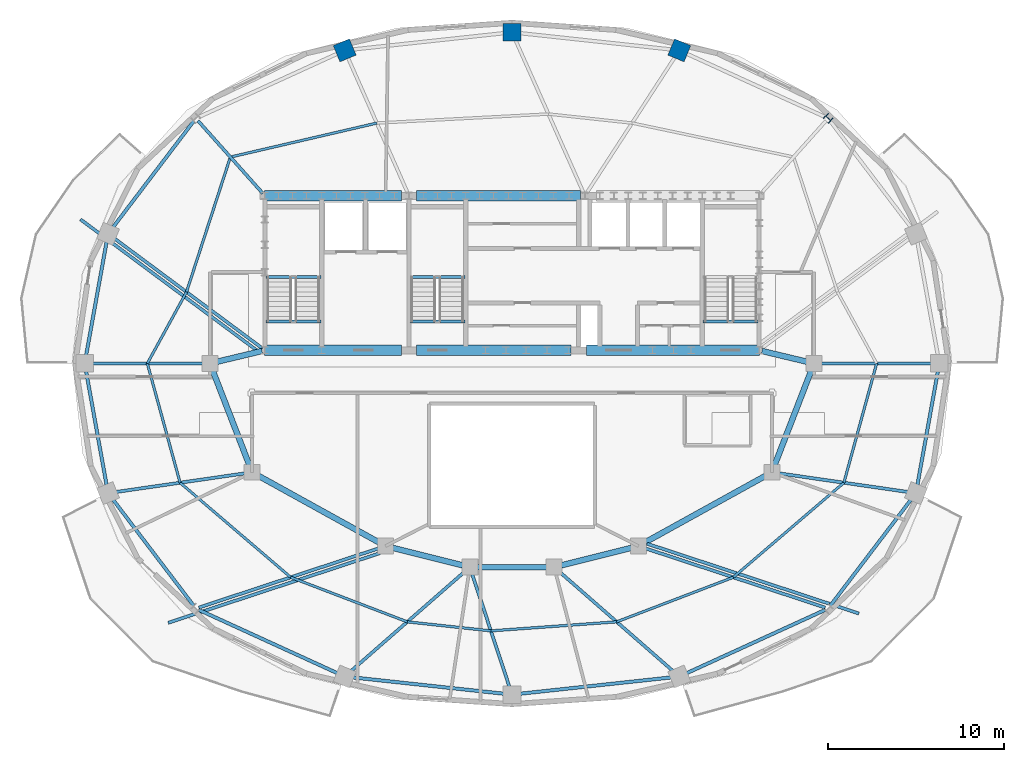
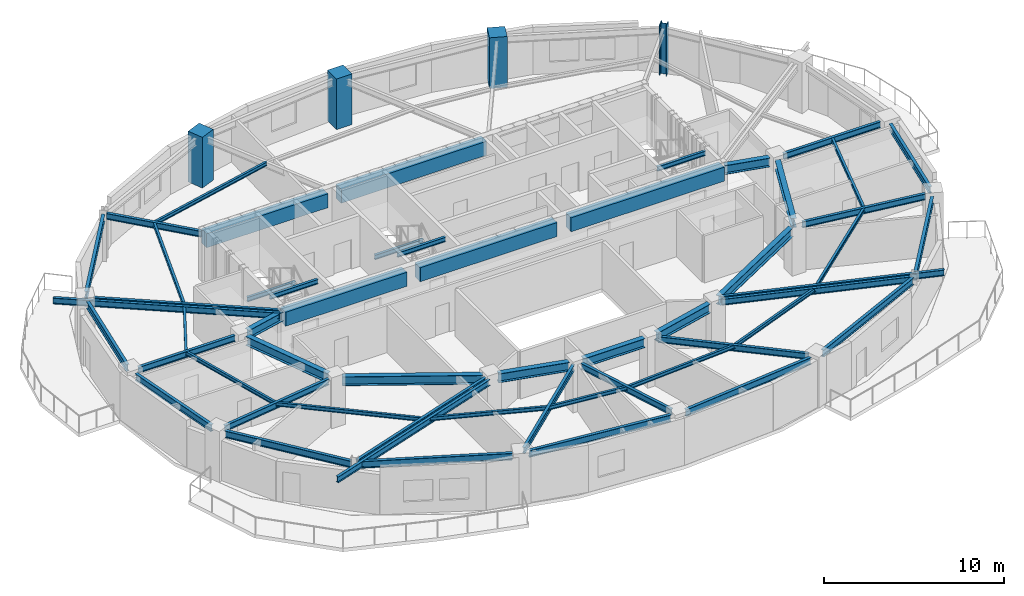
# One storey, part 2 of 10: 54 beams, 4 columns.
"""IFC4 building model written with IfcOpenShell, lengths in metres."""

from ifc_helpers import new_model, si_unit, direction, frame, origin, origin_2d, place, context, subcontext, project, spatial, rectangle, i_section, extrude, material, material_profile, profile_set, type_object, element, save


model = new_model("IFC4")

# Units and contexts
model_context = context("Model", 3, precision=1e-05, world=origin(), true_north=direction((0.0, 1.0)))
body_context = subcontext(model_context, "Body", "Model", "MODEL_VIEW")
ifc_project = project(units=[si_unit("LENGTHUNIT", "METRE"), si_unit("AREAUNIT", "SQUARE_METRE"), si_unit("VOLUMEUNIT", "CUBIC_METRE"), si_unit("PLANEANGLEUNIT", "RADIAN"), si_unit("MASSUNIT", "GRAM", prefix="KILO")], contexts=[model_context])

# Site, building, storey
site_placement = place(None, origin())
site = spatial("IfcSite", under=ifc_project, at=site_placement, CompositionType="ELEMENT")
building_placement = place(site_placement, origin())
building = spatial("IfcBuilding", under=site, at=building_placement, Name="Haldorwick Loom Tower", CompositionType="ELEMENT")
storey_placement = place(building_placement, frame((0.0, 0.0, 259.199951171875)))
storey = spatial("IfcBuildingStorey", under=building, at=storey_placement, Name="L70", CompositionType="ELEMENT", Elevation=259.199951171875)

# Columns
ifc_material_1 = material(Name="Concrete C60 (60 MPa)", Category="concrete")
ifc_material_profile_1 = material_profile(ifc_material_1, rectangle(XDim=1.0, YDim=1.0, at=origin_2d()), Name="RC1000X1000", Category="concrete")
ifc_profile_set_1 = profile_set([ifc_material_profile_1], Name="Concrete C60 (60 MPa)")
column_type_1 = type_object("IfcColumnType", Name="STR-COL-RC1000", PredefinedType="COLUMN", material=ifc_profile_set_1)
for number, where, z_axis, x_axis, name in (
    (1, (45.52880859375, 43.830810546875, 0.0), (0.0, 0.0, 1.0), (0.382683432365, 0.923879532511, 0.0), "L70 Perimeter Pier Column P04"),
    (2, (36.0, 44.860107421875, 0.0), (0.0, 0.0, 1.0), (0.0, 1.0, 0.0), "L70 Perimeter Pier Column P05"),
    (3, (26.47119140625, 43.830810546875, 0.0), (0.0, 0.0, 1.0), (-0.382683432365, 0.923879532511, 0.0), "L70 Perimeter Pier Column P06"),
):
    element("IfcColumn", number, at=place(storey_placement, frame(where, z_axis=z_axis, x_axis=x_axis)), inside=storey, type_object=column_type_1, Name=name, PredefinedType="COLUMN", context=body_context, shape_type="SweptSolid", body=[
        extrude(rectangle(XDim=1.0, YDim=1.0, at=origin_2d()), origin(), (0.0, 0.0, 1.0), 3.449951171875),
    ])
ifc_material_2 = material(Name="Steel CSA G40.21 350W", Category="steel")
ifc_material_profile_2 = material_profile(ifc_material_2, i_section(OverallWidth=0.406005859375, OverallDepth=0.416015625, WebThickness=0.024169921875, FlangeThickness=0.03857421875, at=origin_2d()), Name="W360X382", Category="steel")
ifc_profile_set_2 = profile_set([ifc_material_profile_2], Name="Steel CSA G40.21 350W")
column_type_2 = type_object("IfcColumnType", Name="STR-COL-W360X382", PredefinedType="COLUMN", material=ifc_profile_set_2)
column_placement = place(storey_placement, frame((54.005126953125, 39.958251953125, 0.0), z_axis=(0.0, 0.0, 1.0), x_axis=(0.707106781187, 0.707106781187, 0.0)))
element("IfcColumn", 4, at=column_placement, inside=storey, type_object=column_type_2, Name="L70 Perimeter Pier Column P03", PredefinedType="COLUMN", context=body_context, shape_type="SweptSolid", body=[
    extrude(i_section(OverallWidth=0.406005859375, OverallDepth=0.416015625, WebThickness=0.024169921875, FlangeThickness=0.03857421875, at=origin_2d()), origin(), (0.0, 0.0, 1.0), 3.449951171875),
])

# Beams
ifc_material_profile_3 = material_profile(ifc_material_2, i_section(OverallWidth=0.179931640625, OverallDepth=0.4130859375, WebThickness=0.009765625, FlangeThickness=0.01611328125, at=origin_2d()), Name="W410X74", Category="steel")
ifc_profile_set_3 = profile_set([ifc_material_profile_3], Name="Steel CSA G40.21 350W")
beam_type_1 = type_object("IfcBeamType", Name="STR-BM-BAL410", PredefinedType="BEAM", material=ifc_profile_set_3)
beam_1_placement = place(storey_placement, frame((43.69140625, 15.73291015625, 3.003662109375), z_axis=(0.949822733783, -0.312788705661, 0.0), x_axis=(0.312788705661, 0.949822733783, 0.0)))
element("IfcBeam", 5, at=beam_1_placement, inside=storey, type_object=beam_type_1, Name="L70 Continuous Back-Spanned Balcony Beam 1", PredefinedType="BEAM", context=body_context, shape_type="SweptSolid", body=[
    extrude(i_section(OverallWidth=0.179931640625, OverallDepth=0.4130859375, WebThickness=0.009765625, FlangeThickness=0.01611328125, at=origin_2d()), origin(), (0.0, 0.0, 1.0), 12.70068359375),
])
beam_2_placement = place(storey_placement, frame((28.48388671875, 15.201171875, 3.003662109375), z_axis=(-0.949818903584, -0.312800336309, 0.0), x_axis=(0.312800336309, -0.949818903584, 0.0)))
element("IfcBeam", 6, at=beam_2_placement, inside=storey, type_object=beam_type_1, Name="L70 Continuous Back-Spanned Balcony Beam 2", PredefinedType="BEAM", context=body_context, shape_type="SweptSolid", body=[
    extrude(i_section(OverallWidth=0.179931640625, OverallDepth=0.4130859375, WebThickness=0.009765625, FlangeThickness=0.01611328125, at=origin_2d()), origin(), (0.0, 0.0, 1.0), 12.701171875),
])
beam_3_placement = place(storey_placement, frame((21.62548828125, 26.62744140625, 3.003662109375), z_axis=(-0.802806117906, 0.596240167258, 0.0), x_axis=(-0.596240167258, -0.802806117906, 0.0)))
element("IfcBeam", 7, at=beam_3_placement, inside=storey, type_object=beam_type_1, Name="L70 Continuous Back-Spanned Balcony Beam 3", PredefinedType="BEAM", context=body_context, shape_type="SweptSolid", body=[
    extrude(i_section(OverallWidth=0.179931640625, OverallDepth=0.4130859375, WebThickness=0.009765625, FlangeThickness=0.01611328125, at=origin_2d()), origin(), (0.0, 0.0, 1.0), 12.707763671875),
])
ifc_material_3 = material(Name="Concrete C50 (50 MPa)", Category="concrete")
ifc_material_profile_4 = material_profile(ifc_material_3, rectangle(XDim=0.60009765625, YDim=0.949951171875, at=origin_2d()), Name="RC600X950", Category="concrete")
ifc_profile_set_4 = profile_set([ifc_material_profile_4], Name="Concrete C50 (50 MPa)")
beam_type_2 = type_object("IfcBeamType", Name="STR-BM-CB950", PredefinedType="LINTEL", material=ifc_profile_set_4)
beam_4_placement = place(storey_placement, frame((21.89990234375, 35.550048828125, 2.735107421875), z_axis=(1.0, 0.0, 0.0), x_axis=(0.0, 1.0, 0.0)))
element("IfcBeam", 8, at=beam_4_placement, inside=storey, type_object=beam_type_2, Name="L70 Core Coupling Beam CB-N1", PredefinedType="LINTEL", context=body_context, shape_type="SweptSolid", body=[
    extrude(rectangle(XDim=0.60009765625, YDim=0.949951171875, at=origin_2d()), origin(), (0.0, 0.0, 1.0), 7.800048828125),
])
beam_5_placement = place(storey_placement, frame((30.550048828125, 35.550048828125, 2.735107421875), z_axis=(1.0, 0.0, 0.0), x_axis=(0.0, 1.0, 0.0)))
element("IfcBeam", 9, at=beam_5_placement, inside=storey, type_object=beam_type_2, Name="L70 Core Coupling Beam CB-N2", PredefinedType="LINTEL", context=body_context, shape_type="SweptSolid", body=[
    extrude(rectangle(XDim=0.60009765625, YDim=0.949951171875, at=origin_2d()), origin(), (0.0, 0.0, 1.0), 9.349853515625),
])
beam_6_placement = place(storey_placement, frame((21.89990234375, 26.75, 2.735107421875), z_axis=(1.0, 0.0, 0.0), x_axis=(0.0, 1.0, 0.0)))
element("IfcBeam", 10, at=beam_6_placement, inside=storey, type_object=beam_type_2, Name="L70 Core Coupling Beam CB-S1", PredefinedType="LINTEL", context=body_context, shape_type="SweptSolid", body=[
    extrude(rectangle(XDim=0.60009765625, YDim=0.949951171875, at=origin_2d()), origin(), (0.0, 0.0, 1.0), 7.800048828125),
])
beam_7_placement = place(storey_placement, frame((30.550048828125, 26.75, 2.735107421875), z_axis=(1.0, 0.0, 0.0), x_axis=(0.0, 1.0, 0.0)))
element("IfcBeam", 11, at=beam_7_placement, inside=storey, type_object=beam_type_2, Name="L70 Core Coupling Beam CB-S2", PredefinedType="LINTEL", context=body_context, shape_type="SweptSolid", body=[
    extrude(rectangle(XDim=0.60009765625, YDim=0.949951171875, at=origin_2d()), origin(), (0.0, 0.0, 1.0), 8.800048828125),
])
beam_8_placement = place(storey_placement, frame((40.25, 26.75, 2.735107421875), z_axis=(1.0, 0.0, 0.0), x_axis=(0.0, 1.0, 0.0)))
element("IfcBeam", 12, at=beam_8_placement, inside=storey, type_object=beam_type_2, Name="L70 Core Coupling Beam CB-S3", PredefinedType="LINTEL", context=body_context, shape_type="SweptSolid", body=[
    extrude(rectangle(XDim=0.60009765625, YDim=0.949951171875, at=origin_2d()), origin(), (0.0, 0.0, 1.0), 9.85009765625),
])
ifc_material_profile_5 = material_profile(ifc_material_2, i_section(OverallWidth=0.14599609375, OverallDepth=0.258056640625, WebThickness=0.006103515625, FlangeThickness=0.009033203125, at=origin_2d()), Name="W250X33", Category="steel")
ifc_profile_set_5 = profile_set([ifc_material_profile_5], Name="Steel CSA G40.21 350W")
beam_type_3 = type_object("IfcBeamType", Name="STR-BM-J250", PredefinedType="JOIST", material=ifc_profile_set_5)
beam_9_placement = place(storey_placement, frame((28.300537109375, 39.6904296875, 3.0810546875), z_axis=(-0.974080706337, -0.226200746112, 0.0), x_axis=(0.226200746112, -0.974080706337, 0.0)))
element("IfcBeam", 13, at=beam_9_placement, inside=storey, type_object=beam_type_3, Name="L70 Mid-Bay Secondary Joist 6", PredefinedType="JOIST", context=body_context, shape_type="SweptSolid", body=[
    extrude(i_section(OverallWidth=0.14599609375, OverallDepth=0.258056640625, WebThickness=0.006103515625, FlangeThickness=0.009033203125, at=origin_2d()), origin(), (0.0, 0.0, 1.0), 8.56005859375),
])
beam_10_placement = place(storey_placement, frame((19.96240234375, 37.754150390625, 3.0810546875), z_axis=(-0.309277990337, -0.95097167397, 0.0), x_axis=(0.95097167397, -0.309277990337, 0.0)))
element("IfcBeam", 14, at=beam_10_placement, inside=storey, type_object=beam_type_3, Name="L70 Mid-Bay Secondary Joist 7", PredefinedType="JOIST", context=body_context, shape_type="SweptSolid", body=[
    extrude(i_section(OverallWidth=0.14599609375, OverallDepth=0.258056640625, WebThickness=0.006103515625, FlangeThickness=0.009033203125, at=origin_2d()), origin(), (0.0, 0.0, 1.0), 8.08251953125),
])
beam_11_placement = place(storey_placement, frame((17.462646484375, 30.06787109375, 3.0810546875), z_axis=(-0.480863931781, -0.876795232145, 0.0), x_axis=(0.876795232145, -0.480863931781, 0.0)))
element("IfcBeam", 15, at=beam_11_placement, inside=storey, type_object=beam_type_3, Name="L70 Mid-Bay Secondary Joist 8", PredefinedType="JOIST", context=body_context, shape_type="SweptSolid", body=[
    extrude(i_section(OverallWidth=0.14599609375, OverallDepth=0.258056640625, WebThickness=0.006103515625, FlangeThickness=0.009033203125, at=origin_2d()), origin(), (0.0, 0.0, 1.0), 4.639404296875),
])
beam_12_placement = place(storey_placement, frame((15.231689453125, 26.0, 3.0810546875), z_axis=(0.264879381431, -0.964281552915, 0.0), x_axis=(0.964281552915, 0.264879381431, 0.0)))
element("IfcBeam", 16, at=beam_12_placement, inside=storey, type_object=beam_type_3, Name="L70 Mid-Bay Secondary Joist 9", PredefinedType="JOIST", context=body_context, shape_type="SweptSolid", body=[
    extrude(i_section(OverallWidth=0.14599609375, OverallDepth=0.258056640625, WebThickness=0.006103515625, FlangeThickness=0.009033203125, at=origin_2d()), origin(), (0.0, 0.0, 1.0), 7.044677734375),
])
beam_13_placement = place(storey_placement, frame((17.09765625, 19.20703125, 3.0810546875), z_axis=(0.760066902561, -0.649844830426, 0.0), x_axis=(0.649844830426, 0.760066902561, 0.0)))
element("IfcBeam", 17, at=beam_13_placement, inside=storey, type_object=beam_type_3, Name="L70 Mid-Bay Secondary Joist 10", PredefinedType="JOIST", context=body_context, shape_type="SweptSolid", body=[
    extrude(i_section(OverallWidth=0.14599609375, OverallDepth=0.258056640625, WebThickness=0.006103515625, FlangeThickness=0.009033203125, at=origin_2d()), origin(), (0.0, 0.0, 1.0), 8.28857421875),
])
beam_14_placement = place(storey_placement, frame((23.3974609375, 13.82080078125, 3.0810546875), z_axis=(0.934134056558, -0.356922350628, 0.0), x_axis=(0.356922350628, 0.934134056558, 0.0)))
element("IfcBeam", 18, at=beam_14_placement, inside=storey, type_object=beam_type_3, Name="L70 Mid-Bay Secondary Joist 11", PredefinedType="JOIST", context=body_context, shape_type="SweptSolid", body=[
    extrude(i_section(OverallWidth=0.14599609375, OverallDepth=0.258056640625, WebThickness=0.006103515625, FlangeThickness=0.009033203125, at=origin_2d()), origin(), (0.0, 0.0, 1.0), 7.106201171875),
])
beam_15_placement = place(storey_placement, frame((30.03564453125, 11.284423828125, 3.0810546875), z_axis=(0.994221899005, -0.107344378232, 0.0), x_axis=(0.107344378232, 0.994221899005, 0.0)))
element("IfcBeam", 19, at=beam_15_placement, inside=storey, type_object=beam_type_3, Name="L70 Mid-Bay Secondary Joist 12", PredefinedType="JOIST", context=body_context, shape_type="SweptSolid", body=[
    extrude(i_section(OverallWidth=0.14599609375, OverallDepth=0.258056640625, WebThickness=0.006103515625, FlangeThickness=0.009033203125, at=origin_2d()), origin(), (0.0, 0.0, 1.0), 4.7919921875),
])
beam_16_placement = place(storey_placement, frame((34.800048828125, 10.77001953125, 3.0810546875), z_axis=(0.997432233153, 0.071616620046, 0.0), x_axis=(-0.071616620046, 0.997432233153, 0.0)))
element("IfcBeam", 20, at=beam_16_placement, inside=storey, type_object=beam_type_3, Name="L70 Mid-Bay Secondary Joist 13", PredefinedType="JOIST", context=body_context, shape_type="SweptSolid", body=[
    extrude(i_section(OverallWidth=0.14599609375, OverallDepth=0.258056640625, WebThickness=0.006103515625, FlangeThickness=0.009033203125, at=origin_2d()), origin(), (0.0, 0.0, 1.0), 7.182861328125),
])
beam_17_placement = place(storey_placement, frame((41.96435546875, 11.284423828125, 3.0810546875), z_axis=(0.934134056558, 0.356922350628, 0.0), x_axis=(-0.356922350628, 0.934134056558, 0.0)))
element("IfcBeam", 21, at=beam_17_placement, inside=storey, type_object=beam_type_3, Name="L70 Mid-Bay Secondary Joist 14", PredefinedType="JOIST", context=body_context, shape_type="SweptSolid", body=[
    extrude(i_section(OverallWidth=0.14599609375, OverallDepth=0.258056640625, WebThickness=0.006103515625, FlangeThickness=0.009033203125, at=origin_2d()), origin(), (0.0, 0.0, 1.0), 7.106201171875),
])
beam_18_placement = place(storey_placement, frame((48.6025390625, 13.82080078125, 3.0810546875), z_axis=(0.760066902561, 0.649844830426, 0.0), x_axis=(-0.649844830426, 0.760066902561, 0.0)))
element("IfcBeam", 22, at=beam_18_placement, inside=storey, type_object=beam_type_3, Name="L70 Mid-Bay Secondary Joist 15", PredefinedType="JOIST", context=body_context, shape_type="SweptSolid", body=[
    extrude(i_section(OverallWidth=0.14599609375, OverallDepth=0.258056640625, WebThickness=0.006103515625, FlangeThickness=0.009033203125, at=origin_2d()), origin(), (0.0, 0.0, 1.0), 8.28857421875),
])
beam_19_placement = place(storey_placement, frame((54.90234375, 19.20703125, 3.0810546875), z_axis=(0.264879381431, 0.964281552915, 0.0), x_axis=(-0.964281552915, 0.264879381431, 0.0)))
element("IfcBeam", 23, at=beam_19_placement, inside=storey, type_object=beam_type_3, Name="L70 Mid-Bay Secondary Joist 16", PredefinedType="JOIST", context=body_context, shape_type="SweptSolid", body=[
    extrude(i_section(OverallWidth=0.14599609375, OverallDepth=0.258056640625, WebThickness=0.006103515625, FlangeThickness=0.009033203125, at=origin_2d()), origin(), (0.0, 0.0, 1.0), 7.044677734375),
])
ifc_material_profile_6 = material_profile(ifc_material_2, i_section(OverallWidth=0.179931640625, OverallDepth=0.4130859375, WebThickness=0.009765625, FlangeThickness=0.01611328125, at=origin_2d()), Name="W410X74", Category="steel")
ifc_profile_set_6 = profile_set([ifc_material_profile_6], Name="Steel CSA G40.21 350W")
beam_type_4 = type_object("IfcBeamType", Name="STR-BM-J410", PredefinedType="JOIST", material=ifc_profile_set_6)
beam_20_placement = place(storey_placement, frame((53.625, 26.0, 3.003662109375), z_axis=(1.0, 0.0, 0.0), x_axis=(0.0, 1.0, 0.0)))
element("IfcBeam", 24, at=beam_20_placement, inside=storey, type_object=beam_type_4, Name="L70 Radial Floor Girder 1", PredefinedType="JOIST", context=body_context, shape_type="SweptSolid", body=[
    extrude(i_section(OverallWidth=0.179931640625, OverallDepth=0.4130859375, WebThickness=0.009765625, FlangeThickness=0.01611328125, at=origin_2d()), origin(), (0.0, 0.0, 1.0), 6.23681640625),
])
beam_21_placement = place(storey_placement, frame((21.81591796875, 35.677978515625, 3.003662109375), z_axis=(-0.665970391236, 0.745978175282, 0.0), x_axis=(-0.745978175282, -0.665970391236, 0.0)))
element("IfcBeam", 25, at=beam_21_placement, inside=storey, type_object=beam_type_4, Name="L70 Radial Floor Girder 7", PredefinedType="JOIST", context=body_context, shape_type="SweptSolid", body=[
    extrude(i_section(OverallWidth=0.179931640625, OverallDepth=0.4130859375, WebThickness=0.009765625, FlangeThickness=0.01611328125, at=origin_2d()), origin(), (0.0, 0.0, 1.0), 5.559814453125),
])
beam_22_placement = place(storey_placement, frame((21.792236328125, 26.852294921875, 3.003662109375), z_axis=(-0.802802773234, 0.596244670658, 0.0), x_axis=(-0.596244670658, -0.802802773234, 0.0)))
element("IfcBeam", 26, at=beam_22_placement, inside=storey, type_object=beam_type_4, Name="L70 Radial Floor Girder 8", PredefinedType="JOIST", context=body_context, shape_type="SweptSolid", body=[
    extrude(i_section(OverallWidth=0.179931640625, OverallDepth=0.4130859375, WebThickness=0.009765625, FlangeThickness=0.01611328125, at=origin_2d()), origin(), (0.0, 0.0, 1.0), 10.482666015625),
])
beam_23_placement = place(storey_placement, frame((18.375, 26.0, 3.003662109375), z_axis=(-1.0, 0.0, 0.0), x_axis=(0.0, -1.0, 0.0)))
element("IfcBeam", 27, at=beam_23_placement, inside=storey, type_object=beam_type_4, Name="L70 Radial Floor Girder 9", PredefinedType="JOIST", context=body_context, shape_type="SweptSolid", body=[
    extrude(i_section(OverallWidth=0.179931640625, OverallDepth=0.4130859375, WebThickness=0.009765625, FlangeThickness=0.01611328125, at=origin_2d()), origin(), (0.0, 0.0, 1.0), 6.23681640625),
])
beam_24_placement = place(storey_placement, frame((20.779296875, 19.7392578125, 3.003662109375), z_axis=(-0.989714899996, -0.143053894481, 0.0), x_axis=(0.143053894481, -0.989714899996, 0.0)))
element("IfcBeam", 28, at=beam_24_placement, inside=storey, type_object=beam_type_4, Name="L70 Radial Floor Girder 10", PredefinedType="JOIST", context=body_context, shape_type="SweptSolid", body=[
    extrude(i_section(OverallWidth=0.179931640625, OverallDepth=0.4130859375, WebThickness=0.009765625, FlangeThickness=0.01611328125, at=origin_2d()), origin(), (0.0, 0.0, 1.0), 7.3896484375),
])
beam_25_placement = place(storey_placement, frame((28.396240234375, 15.467041015625, 3.003662109375), z_axis=(-0.949823774798, -0.312785544468, 0.0), x_axis=(0.312785544468, -0.949823774798, 0.0)))
element("IfcBeam", 29, at=beam_25_placement, inside=storey, type_object=beam_type_4, Name="L70 Radial Floor Girder 11", PredefinedType="JOIST", context=body_context, shape_type="SweptSolid", body=[
    extrude(i_section(OverallWidth=0.179931640625, OverallDepth=0.4130859375, WebThickness=0.009765625, FlangeThickness=0.01611328125, at=origin_2d()), origin(), (0.0, 0.0, 1.0), 10.77294921875),
])
beam_26_placement = place(storey_placement, frame((33.280029296875, 14.120361328125, 3.003662109375), z_axis=(-0.752929611517, -0.658101056146, 0.0), x_axis=(0.658101056146, -0.752929611517, 0.0)))
element("IfcBeam", 30, at=beam_26_placement, inside=storey, type_object=beam_type_4, Name="L70 Radial Floor Girder 12", PredefinedType="JOIST", context=body_context, shape_type="SweptSolid", body=[
    extrude(i_section(OverallWidth=0.179931640625, OverallDepth=0.4130859375, WebThickness=0.009765625, FlangeThickness=0.01611328125, at=origin_2d()), origin(), (0.0, 0.0, 1.0), 8.568115234375),
])
beam_27_placement = place(storey_placement, frame((33.7333984375, 13.99658203125, 3.003662109375), z_axis=(0.313860075071, -0.949469248199, 0.0), x_axis=(0.949469248199, 0.313860075071, 0.0)))
element("IfcBeam", 31, at=beam_27_placement, inside=storey, type_object=beam_type_4, Name="L70 Radial Floor Girder 13", PredefinedType="JOIST", context=body_context, shape_type="SweptSolid", body=[
    extrude(i_section(OverallWidth=0.179931640625, OverallDepth=0.4130859375, WebThickness=0.009765625, FlangeThickness=0.01611328125, at=origin_2d()), origin(), (0.0, 0.0, 1.0), 6.746337890625),
])
beam_28_placement = place(storey_placement, frame((38.719970703125, 14.120361328125, 3.003662109375), z_axis=(0.752929611517, -0.658101056146, 0.0), x_axis=(0.658101056146, 0.752929611517, 0.0)))
element("IfcBeam", 32, at=beam_28_placement, inside=storey, type_object=beam_type_4, Name="L70 Radial Floor Girder 14", PredefinedType="JOIST", context=body_context, shape_type="SweptSolid", body=[
    extrude(i_section(OverallWidth=0.179931640625, OverallDepth=0.4130859375, WebThickness=0.009765625, FlangeThickness=0.01611328125, at=origin_2d()), origin(), (0.0, 0.0, 1.0), 8.568115234375),
])
beam_29_placement = place(storey_placement, frame((43.603759765625, 15.467041015625, 3.003662109375), z_axis=(0.949823774798, -0.312785544468, 0.0), x_axis=(0.312785544468, 0.949823774798, 0.0)))
element("IfcBeam", 33, at=beam_29_placement, inside=storey, type_object=beam_type_4, Name="L70 Radial Floor Girder 15", PredefinedType="JOIST", context=body_context, shape_type="SweptSolid", body=[
    extrude(i_section(OverallWidth=0.179931640625, OverallDepth=0.4130859375, WebThickness=0.009765625, FlangeThickness=0.01611328125, at=origin_2d()), origin(), (0.0, 0.0, 1.0), 10.77294921875),
])
beam_30_placement = place(storey_placement, frame((51.220703125, 19.7392578125, 3.003662109375), z_axis=(0.989714899996, -0.143053894481, 0.0), x_axis=(0.143053894481, 0.989714899996, 0.0)))
element("IfcBeam", 34, at=beam_30_placement, inside=storey, type_object=beam_type_4, Name="L70 Radial Floor Girder 16", PredefinedType="JOIST", context=body_context, shape_type="SweptSolid", body=[
    extrude(i_section(OverallWidth=0.179931640625, OverallDepth=0.4130859375, WebThickness=0.009765625, FlangeThickness=0.01611328125, at=origin_2d()), origin(), (0.0, 0.0, 1.0), 7.3896484375),
])
ifc_material_profile_7 = material_profile(ifc_material_2, i_section(OverallWidth=0.193115234375, OverallDepth=0.466064453125, WebThickness=0.011474609375, FlangeThickness=0.01904296875, at=origin_2d()), Name="W460X97", Category="steel")
ifc_profile_set_7 = profile_set([ifc_material_profile_7], Name="Steel CSA G40.21 350W")
beam_type_5 = type_object("IfcBeamType", Name="STR-BM-SP460", PredefinedType="SPANDREL", material=ifc_profile_set_7)
beam_31_placement = place(storey_placement, frame((17.886962890625, 39.816650390625, 2.97705078125), z_axis=(-0.605410439126, -0.795913437629, 0.0), x_axis=(0.795913437629, -0.605410439126, 0.0)))
element("IfcBeam", 35, at=beam_31_placement, inside=storey, type_object=beam_type_5, Name="L70 Perimeter Spandrel 7", PredefinedType="SPANDREL", context=body_context, shape_type="SweptSolid", body=[
    extrude(i_section(OverallWidth=0.193115234375, OverallDepth=0.466064453125, WebThickness=0.011474609375, FlangeThickness=0.01904296875, at=origin_2d()), origin(), (0.0, 0.0, 1.0), 7.604736328125),
])
for number, where, z_axis, x_axis, name in (
    (36, (12.9111328125, 32.918212890625, 2.97705078125), (-0.177515201984, -0.984118058499, 0.0), (0.984118058499, -0.177515201984, 0.0), "L70 Perimeter Spandrel 8"),
    (37, (11.74755859375, 25.532470703125, 2.97705078125), (0.177515201984, -0.984118058499, 0.0), (0.984118058499, 0.177515201984, 0.0), "L70 Perimeter Spandrel 9"),
):
    element("IfcBeam", number, at=place(storey_placement, frame(where, z_axis=z_axis, x_axis=x_axis)), inside=storey, type_object=beam_type_5, Name=name, PredefinedType="SPANDREL", context=body_context, shape_type="SweptSolid", body=[
        extrude(i_section(OverallWidth=0.193115234375, OverallDepth=0.466064453125, WebThickness=0.011474609375, FlangeThickness=0.01904296875, at=origin_2d()), origin(), (0.0, 0.0, 1.0), 6.5546875),
    ])
beam_32_placement = place(storey_placement, frame((13.282958984375, 18.236083984375, 2.97705078125), z_axis=(0.605410439126, -0.795913437629, 0.0), x_axis=(0.795913437629, 0.605410439126, 0.0)))
element("IfcBeam", 38, at=beam_32_placement, inside=storey, type_object=beam_type_5, Name="L70 Perimeter Spandrel 10", PredefinedType="SPANDREL", context=body_context, shape_type="SweptSolid", body=[
    extrude(i_section(OverallWidth=0.193115234375, OverallDepth=0.466064453125, WebThickness=0.011474609375, FlangeThickness=0.01904296875, at=origin_2d()), origin(), (0.0, 0.0, 1.0), 7.604736328125),
])
beam_33_placement = place(storey_placement, frame((18.15673828125, 11.9677734375, 2.97705078125), z_axis=(0.909567887863, -0.415555360172, 0.0), x_axis=(0.415555360172, 0.909567887863, 0.0)))
element("IfcBeam", 39, at=beam_33_placement, inside=storey, type_object=beam_type_5, Name="L70 Perimeter Spandrel 11", PredefinedType="SPANDREL", context=body_context, shape_type="SweptSolid", body=[
    extrude(i_section(OverallWidth=0.193115234375, OverallDepth=0.466064453125, WebThickness=0.011474609375, FlangeThickness=0.01904296875, at=origin_2d()), origin(), (0.0, 0.0, 1.0), 8.666259765625),
])
for number, where, z_axis, x_axis, name in (
    (40, (26.943603515625, 8.1181640625, 2.97705078125), (0.994216353781, -0.107395725588, 0.0), (0.107395725588, 0.994216353781, 0.0), "L70 Perimeter Spandrel 12"),
    (41, (36.472412109375, 7.19091796875, 2.97705078125), (0.994216353781, 0.107395725588, 0.0), (-0.107395725588, 0.994216353781, 0.0), "L70 Perimeter Spandrel 13"),
):
    element("IfcBeam", number, at=place(storey_placement, frame(where, z_axis=z_axis, x_axis=x_axis)), inside=storey, type_object=beam_type_5, Name=name, PredefinedType="SPANDREL", context=body_context, shape_type="SweptSolid", body=[
        extrude(i_section(OverallWidth=0.193115234375, OverallDepth=0.466064453125, WebThickness=0.011474609375, FlangeThickness=0.01904296875, at=origin_2d()), origin(), (0.0, 0.0, 1.0), 8.634033203125),
    ])
beam_34_placement = place(storey_placement, frame((45.960693359375, 8.366455078125, 2.97705078125), z_axis=(0.909567887863, 0.415555360172, 0.0), x_axis=(-0.415555360172, 0.909567887863, 0.0)))
element("IfcBeam", 42, at=beam_34_placement, inside=storey, type_object=beam_type_5, Name="L70 Perimeter Spandrel 14", PredefinedType="SPANDREL", context=body_context, shape_type="SweptSolid", body=[
    extrude(i_section(OverallWidth=0.193115234375, OverallDepth=0.466064453125, WebThickness=0.011474609375, FlangeThickness=0.01904296875, at=origin_2d()), origin(), (0.0, 0.0, 1.0), 8.666259765625),
])
beam_35_placement = place(storey_placement, frame((54.113037109375, 12.183349609375, 2.97705078125), z_axis=(0.605410439126, 0.795913437629, 0.0), x_axis=(-0.795913437629, 0.605410439126, 0.0)))
element("IfcBeam", 43, at=beam_35_placement, inside=storey, type_object=beam_type_5, Name="L70 Perimeter Spandrel 15", PredefinedType="SPANDREL", context=body_context, shape_type="SweptSolid", body=[
    extrude(i_section(OverallWidth=0.193115234375, OverallDepth=0.466064453125, WebThickness=0.011474609375, FlangeThickness=0.01904296875, at=origin_2d()), origin(), (0.0, 0.0, 1.0), 7.604736328125),
])
beam_36_placement = place(storey_placement, frame((59.0888671875, 19.081787109375, 2.97705078125), z_axis=(0.177515201984, 0.984118058499, 0.0), x_axis=(-0.984118058499, 0.177515201984, 0.0)))
element("IfcBeam", 44, at=beam_36_placement, inside=storey, type_object=beam_type_5, Name="L70 Perimeter Spandrel 16", PredefinedType="SPANDREL", context=body_context, shape_type="SweptSolid", body=[
    extrude(i_section(OverallWidth=0.193115234375, OverallDepth=0.466064453125, WebThickness=0.011474609375, FlangeThickness=0.01904296875, at=origin_2d()), origin(), (0.0, 0.0, 1.0), 6.5546875),
])
ifc_material_profile_8 = material_profile(ifc_material_2, i_section(OverallWidth=0.166015625, OverallDepth=0.31298828125, WebThickness=0.006591796875, FlangeThickness=0.01123046875, at=origin_2d()), Name="W310X45", Category="steel")
ifc_profile_set_8 = profile_set([ifc_material_profile_8], Name="Steel CSA G40.21 350W")
beam_type_6 = type_object("IfcBeamType", Name="STR-BM-STRM", PredefinedType="BEAM", material=ifc_profile_set_8)
for number, where, z_axis, x_axis, name in (
    (45, (21.989990234375, 28.39990234375, 3.053466796875), (1.0, 0.0, 0.0), (0.0, 1.0, 0.0), "L70 Stair ST-01 Landing Edge Trimmer"),
    (46, (21.989990234375, 30.919921875, 1.36865234375), (1.0, 0.0, 0.0), (0.0, 1.0, 0.0), "L70 Stair ST-01 Half-Landing Trimmer 1"),
    (47, (46.889892578125, 28.39990234375, 3.053466796875), (1.0, 0.0, 0.0), (0.0, 1.0, 0.0), "L70 Stair ST-02 Landing Edge Trimmer"),
    (48, (30.18994140625, 28.39990234375, 3.053466796875), (1.0, 0.0, 0.0), (0.0, 1.0, 0.0), "L70 Stair ST-03 Landing Edge Trimmer"),
    (49, (30.18994140625, 30.919921875, 1.36865234375), (1.0, 0.0, 0.0), (0.0, 1.0, 0.0), "L70 Stair ST-03 Half-Landing Trimmer 1"),
):
    element("IfcBeam", number, at=place(storey_placement, frame(where, z_axis=z_axis, x_axis=x_axis)), inside=storey, type_object=beam_type_6, Name=name, PredefinedType="BEAM", context=body_context, shape_type="SweptSolid", body=[
        extrude(i_section(OverallWidth=0.166015625, OverallDepth=0.31298828125, WebThickness=0.006591796875, FlangeThickness=0.01123046875, at=origin_2d()), origin(), (0.0, 0.0, 1.0), 3.1201171875),
    ])
ifc_material_profile_9 = material_profile(ifc_material_2, i_section(OverallWidth=0.324951171875, OverallDepth=0.615966796875, WebThickness=0.013916015625, FlangeThickness=0.021484375, at=origin_2d()), Name="W610X174", Category="steel")
ifc_profile_set_9 = profile_set([ifc_material_profile_9], Name="Steel CSA G40.21 350W")
beam_type_7 = type_object("IfcBeamType", Name="STR-BM-W610A", PredefinedType="BEAM", material=ifc_profile_set_9)
beam_37_placement = place(storey_placement, frame((50.23681640625, 26.7099609375, 2.902099609375), z_axis=(0.972483573168, -0.232971457302, 0.0), x_axis=(0.232971457302, 0.972483573168, 0.0)))
element("IfcBeam", 50, at=beam_37_placement, inside=storey, type_object=beam_type_7, Name="L70 Inner Ring Girder 1", PredefinedType="BEAM", context=body_context, shape_type="SweptSolid", body=[
    extrude(i_section(OverallWidth=0.324951171875, OverallDepth=0.615966796875, WebThickness=0.013916015625, FlangeThickness=0.021484375, at=origin_2d()), origin(), (0.0, 0.0, 1.0), 2.6220703125),
])
beam_38_placement = place(storey_placement, frame((53.046630859375, 25.603759765625, 2.902099609375), z_axis=(-0.361001189766, -0.932565354808, 0.0), x_axis=(0.932565354808, -0.361001189766, 0.0)))
element("IfcBeam", 51, at=beam_38_placement, inside=storey, type_object=beam_type_7, Name="L70 Inner Ring Girder 2", PredefinedType="BEAM", context=body_context, shape_type="SweptSolid", body=[
    extrude(i_section(OverallWidth=0.324951171875, OverallDepth=0.615966796875, WebThickness=0.013916015625, FlangeThickness=0.021484375, at=origin_2d()), origin(), (0.0, 0.0, 1.0), 5.798583984375),
])
beam_39_placement = place(storey_placement, frame((50.427978515625, 19.594482421875, 2.902099609375), z_axis=(-0.875241535439, -0.48368611169, 0.0), x_axis=(0.48368611169, -0.875241535439, 0.0)))
element("IfcBeam", 52, at=beam_39_placement, inside=storey, type_object=beam_type_7, Name="L70 Inner Ring Girder 3", PredefinedType="BEAM", context=body_context, shape_type="SweptSolid", body=[
    extrude(i_section(OverallWidth=0.324951171875, OverallDepth=0.615966796875, WebThickness=0.013916015625, FlangeThickness=0.021484375, at=origin_2d()), origin(), (0.0, 0.0, 1.0), 7.833251953125),
])
beam_40_placement = place(storey_placement, frame((42.78759765625, 15.496826171875, 2.902099609375), z_axis=(-0.97015301348, -0.242493567823, 0.0), x_axis=(0.242493567823, -0.97015301348, 0.0)))
element("IfcBeam", 53, at=beam_40_placement, inside=storey, type_object=beam_type_7, Name="L70 Inner Ring Girder 4", PredefinedType="BEAM", context=body_context, shape_type="SweptSolid", body=[
    extrude(i_section(OverallWidth=0.324951171875, OverallDepth=0.615966796875, WebThickness=0.013916015625, FlangeThickness=0.021484375, at=origin_2d()), origin(), (0.0, 0.0, 1.0), 4.09765625),
])
beam_41_placement = place(storey_placement, frame((37.97509765625, 14.39990234375, 2.902099609375), z_axis=(-1.0, 0.0, 0.0), x_axis=(0.0, -1.0, 0.0)))
element("IfcBeam", 54, at=beam_41_placement, inside=storey, type_object=beam_type_7, Name="L70 Inner Ring Girder 5", PredefinedType="BEAM", context=body_context, shape_type="SweptSolid", body=[
    extrude(i_section(OverallWidth=0.324951171875, OverallDepth=0.615966796875, WebThickness=0.013916015625, FlangeThickness=0.021484375, at=origin_2d()), origin(), (0.0, 0.0, 1.0), 3.9501953125),
])
beam_42_placement = place(storey_placement, frame((33.187744140625, 14.503173828125, 2.902099609375), z_axis=(-0.97015301348, 0.242493567823, 0.0), x_axis=(-0.242493567823, -0.97015301348, 0.0)))
element("IfcBeam", 55, at=beam_42_placement, inside=storey, type_object=beam_type_7, Name="L70 Inner Ring Girder 6", PredefinedType="BEAM", context=body_context, shape_type="SweptSolid", body=[
    extrude(i_section(OverallWidth=0.324951171875, OverallDepth=0.615966796875, WebThickness=0.013916015625, FlangeThickness=0.021484375, at=origin_2d()), origin(), (0.0, 0.0, 1.0), 4.09765625),
])
beam_43_placement = place(storey_placement, frame((28.427978515625, 15.8056640625, 2.902099609375), z_axis=(-0.875241535439, 0.48368611169, 0.0), x_axis=(-0.48368611169, -0.875241535439, 0.0)))
element("IfcBeam", 56, at=beam_43_placement, inside=storey, type_object=beam_type_7, Name="L70 Inner Ring Girder 7", PredefinedType="BEAM", context=body_context, shape_type="SweptSolid", body=[
    extrude(i_section(OverallWidth=0.324951171875, OverallDepth=0.615966796875, WebThickness=0.013916015625, FlangeThickness=0.021484375, at=origin_2d()), origin(), (0.0, 0.0, 1.0), 7.833251953125),
])
beam_44_placement = place(storey_placement, frame((21.046630859375, 20.1962890625, 2.902099609375), z_axis=(-0.361001189766, 0.932565354808, 0.0), x_axis=(-0.932565354808, -0.361001189766, 0.0)))
element("IfcBeam", 57, at=beam_44_placement, inside=storey, type_object=beam_type_7, Name="L70 Inner Ring Girder 8", PredefinedType="BEAM", context=body_context, shape_type="SweptSolid", body=[
    extrude(i_section(OverallWidth=0.324951171875, OverallDepth=0.615966796875, WebThickness=0.013916015625, FlangeThickness=0.021484375, at=origin_2d()), origin(), (0.0, 0.0, 1.0), 5.798583984375),
])
beam_45_placement = place(storey_placement, frame((19.21337890625, 26.09912109375, 2.902099609375), z_axis=(0.972483573168, 0.232971457302, 0.0), x_axis=(-0.232971457302, 0.972483573168, 0.0)))
element("IfcBeam", 58, at=beam_45_placement, inside=storey, type_object=beam_type_7, Name="L70 Inner Ring Girder 9", PredefinedType="BEAM", context=body_context, shape_type="SweptSolid", body=[
    extrude(i_section(OverallWidth=0.324951171875, OverallDepth=0.615966796875, WebThickness=0.013916015625, FlangeThickness=0.021484375, at=origin_2d()), origin(), (0.0, 0.0, 1.0), 2.6220703125),
])

save(model, "model.ifc")
